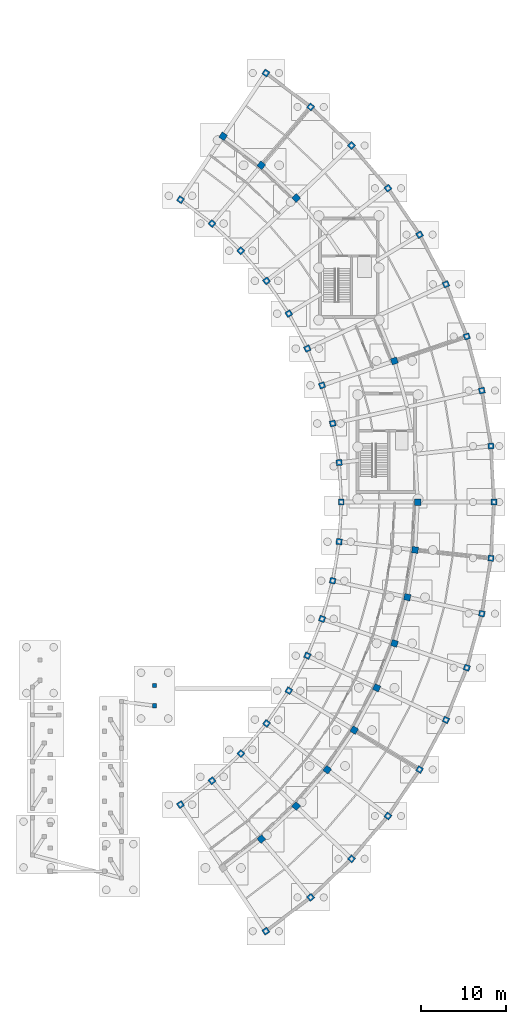
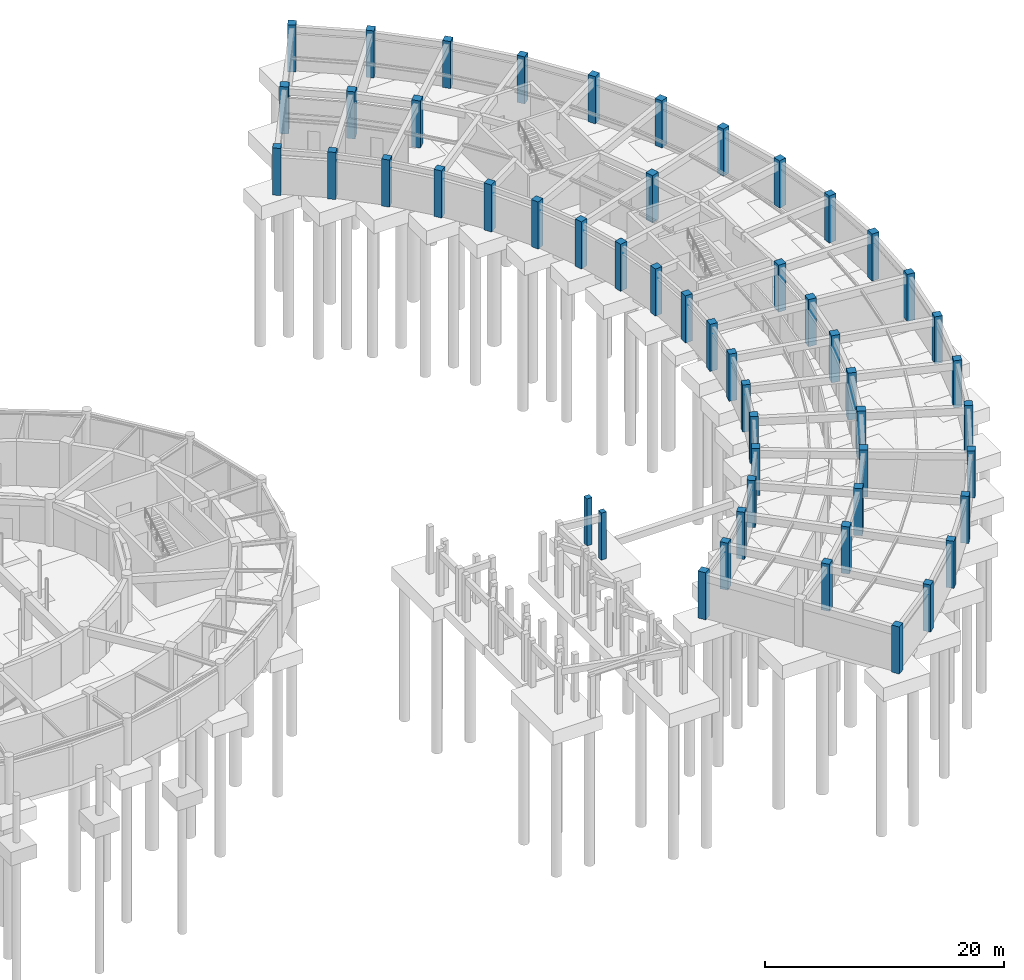
# One storey, part 11 of 42: 53 columns.
"""IFC4 building model written with IfcOpenShell, lengths in metres."""

from ifc_helpers import new_model, si_unit, direction, frame, origin, origin_2d, place, context, subcontext, project, spatial, rectangle, extrude, material, material_profile, profile_set, type_object, element, save


model = new_model("IFC4")

# Units and contexts
model_context = context("Model", 3, precision=1e-05, world=origin(), true_north=direction((0.0, 1.0)))
body_context = subcontext(model_context, "Body", "Model", "MODEL_VIEW")
ifc_project = project(units=[si_unit("LENGTHUNIT", "METRE"), si_unit("AREAUNIT", "SQUARE_METRE"), si_unit("VOLUMEUNIT", "CUBIC_METRE"), si_unit("PLANEANGLEUNIT", "RADIAN"), si_unit("MASSUNIT", "GRAM", prefix="KILO")], contexts=[model_context])

# Site, building, storey
site_placement = place(None, origin())
site = spatial("IfcSite", under=ifc_project, at=site_placement, CompositionType="ELEMENT")
building_placement = place(site_placement, origin())
building = spatial("IfcBuilding", under=site, at=building_placement, Name="Tarnveldt Headland Concert Hall", CompositionType="ELEMENT")
storey_placement = place(building_placement, frame((0.0, 0.0, -4.800048828125)))
storey = spatial("IfcBuildingStorey", under=building, at=storey_placement, Name="B1", CompositionType="ELEMENT", Elevation=-4.800048828125)

# Columns
ifc_material = material(Name="Concrete C40/50", Category="concrete")
ifc_material_profile_1 = material_profile(ifc_material, rectangle(XDim=0.5, YDim=0.5, at=origin_2d()), Name="RC 500x500", Category="concrete")
ifc_profile_set_1 = profile_set([ifc_material_profile_1], Name="Concrete C40/50")
column_type_1 = type_object("IfcColumnType", Name="CC-500", PredefinedType="COLUMN", material=ifc_profile_set_1)
for number, where, z_axis, x_axis, name in (
    (1, (138.5, 36.0, 0.0), (0.0, 0.0, 1.0), (1.0, 0.0, 0.0), "Column BRP03 B1"),
    (2, (138.5, 38.39990234375, 0.0), (0.0, 0.0, 1.0), (1.0, 0.0, 0.0), "Column BRP04 B1"),
):
    element("IfcColumn", number, at=place(storey_placement, frame(where, z_axis=z_axis, x_axis=x_axis)), inside=storey, type_object=column_type_1, Name=name, PredefinedType="COLUMN", context=body_context, shape_type="SweptSolid", body=[
        extrude(rectangle(XDim=0.5, YDim=0.5, at=origin_2d()), origin(), (0.0, 0.0, 1.0), 4.800048828125),
    ])
ifc_material_profile_2 = material_profile(ifc_material, rectangle(XDim=0.699951171875, YDim=0.699951171875, at=origin_2d()), Name="RC 700x700", Category="concrete")
ifc_profile_set_2 = profile_set([ifc_material_profile_2], Name="Concrete C40/50")
column_type_2 = type_object("IfcColumnType", Name="CC-700", PredefinedType="COLUMN", material=ifc_profile_set_2)
for number, where, z_axis, x_axis, name in (
    (3, (141.54541015625, 24.351318359375, 0.0), (0.0, 0.0, 1.0), (0.559192903471, -0.829037572555, 0.0), "Column V3C00IN B1"),
    (4, (151.61083984375, 9.4287109375, 0.0), (0.0, 0.0, 1.0), (0.559192903471, -0.829037572555, 0.0), "Column V3C00OUT B1"),
    (5, (145.267333984375, 27.16748046875, 0.0), (0.0, 0.0, 1.0), (0.645724263505, -0.763570674869, 0.0), "Column V3C01IN B1"),
    (6, (156.89111328125, 13.423583984375, 0.0), (0.0, 0.0, 1.0), (0.645724263505, -0.763570674869, 0.0), "Column V3C01OUT B1"),
    (7, (148.662353515625, 30.37060546875, 0.0), (0.0, 0.0, 1.0), (0.724653130187, -0.689113808387, 0.0), "Column V3C02IN B1"),
    (8, (161.70703125, 17.967529296875, 0.0), (0.0, 0.0, 1.0), (0.724653130187, -0.689113808387, 0.0), "Column V3C02OUT B1"),
    (9, (151.690185546875, 33.922607421875, 0.0), (0.0, 0.0, 1.0), (0.795156077043, -0.60640482612, 0.0), "Column V3C03IN B1"),
    (10, (166.00244140625, 23.006591796875, 0.0), (0.0, 0.0, 1.0), (0.795156077043, -0.60640482612, 0.0), "Column V3C03OUT B1"),
    (11, (154.315185546875, 37.781982421875, 0.0), (0.0, 0.0, 1.0), (0.856176919486, -0.516682767798, 0.0), "Column V3C04IN B1"),
    (12, (169.726318359375, 28.481201171875, 0.0), (0.0, 0.0, 1.0), (0.856176919486, -0.516682767798, 0.0), "Column V3C04OUT B1"),
    (13, (156.50634765625, 41.903076171875, 0.0), (0.0, 0.0, 1.0), (0.907117485088, -0.42087749791, 0.0), "Column V3C05IN B1"),
    (14, (172.834716796875, 34.327392578125, 0.0), (0.0, 0.0, 1.0), (0.907117485088, -0.42087749791, 0.0), "Column V3C05OUT B1"),
    (15, (158.238037109375, 46.2373046875, 0.0), (0.0, 0.0, 1.0), (0.947378020466, -0.320116988518, 0.0), "Column V3C06IN B1"),
    (16, (175.291259765625, 40.476318359375, 0.0), (0.0, 0.0, 1.0), (0.947378020466, -0.320116988518, 0.0), "Column V3C06OUT B1"),
    (17, (159.48974609375, 50.73388671875, 0.0), (0.0, 0.0, 1.0), (0.976522126798, -0.215417120661, 0.0), "Column V3C07IN B1"),
    (18, (177.06689453125, 46.85498046875, 0.0), (0.0, 0.0, 1.0), (0.976522126798, -0.215417120661, 0.0), "Column V3C07OUT B1"),
    (19, (160.24658203125, 55.33935546875, 0.0), (0.0, 0.0, 1.0), (0.994113204519, -0.108346373271, 0.0), "Column V3C08IN B1"),
    (20, (178.140625, 53.388427734375, 0.0), (0.0, 0.0, 1.0), (0.994113204519, -0.108346373271, 0.0), "Column V3C08OUT B1"),
    (21, (160.5, 60.0, 0.0), (0.0, 0.0, 1.0), (1.0, 0.0, 0.0), "Column V3C09IN B1"),
    (22, (178.5, 60.0, 0.0), (0.0, 0.0, 1.0), (1.0, 0.0, 0.0), "Column V3C09OUT B1"),
    (23, (160.24658203125, 64.66064453125, 0.0), (0.0, 0.0, 1.0), (0.994113204519, 0.108346373271, 0.0), "Column V3C10IN B1"),
    (24, (178.140625, 66.611572265625, 0.0), (0.0, 0.0, 1.0), (0.994113204519, 0.108346373271, 0.0), "Column V3C10OUT B1"),
    (25, (159.48974609375, 69.26611328125, 0.0), (0.0, 0.0, 1.0), (0.976522126798, 0.215417120661, 0.0), "Column V3C11IN B1"),
    (26, (177.06689453125, 73.14501953125, 0.0), (0.0, 0.0, 1.0), (0.976522126798, 0.215417120661, 0.0), "Column V3C11OUT B1"),
    (27, (158.238037109375, 73.7626953125, 0.0), (0.0, 0.0, 1.0), (0.947378020466, 0.320116988518, 0.0), "Column V3C12IN B1"),
    (28, (175.291259765625, 79.523681640625, 0.0), (0.0, 0.0, 1.0), (0.947378020466, 0.320116988518, 0.0), "Column V3C12OUT B1"),
    (29, (156.50634765625, 78.096923828125, 0.0), (0.0, 0.0, 1.0), (0.907117485088, 0.42087749791, 0.0), "Column V3C13IN B1"),
    (30, (172.834716796875, 85.672607421875, 0.0), (0.0, 0.0, 1.0), (0.907117485088, 0.42087749791, 0.0), "Column V3C13OUT B1"),
    (31, (154.315185546875, 82.218017578125, 0.0), (0.0, 0.0, 1.0), (0.856176919486, 0.516682767798, 0.0), "Column V3C14IN B1"),
    (32, (169.726318359375, 91.518798828125, 0.0), (0.0, 0.0, 1.0), (0.856176919486, 0.516682767798, 0.0), "Column V3C14OUT B1"),
    (33, (151.690185546875, 86.077392578125, 0.0), (0.0, 0.0, 1.0), (0.795156077043, 0.60640482612, 0.0), "Column V3C15IN B1"),
    (34, (166.00244140625, 96.993408203125, 0.0), (0.0, 0.0, 1.0), (0.795156077043, 0.60640482612, 0.0), "Column V3C15OUT B1"),
    (35, (148.662353515625, 89.62939453125, 0.0), (0.0, 0.0, 1.0), (0.724653130187, 0.689113808387, 0.0), "Column V3C16IN B1"),
    (36, (161.70703125, 102.032470703125, 0.0), (0.0, 0.0, 1.0), (0.724653130187, 0.689113808387, 0.0), "Column V3C16OUT B1"),
    (37, (145.267333984375, 92.83251953125, 0.0), (0.0, 0.0, 1.0), (0.645724263505, 0.763570674869, 0.0), "Column V3C17IN B1"),
    (38, (156.89111328125, 106.576416015625, 0.0), (0.0, 0.0, 1.0), (0.645724263505, 0.763570674869, 0.0), "Column V3C17OUT B1"),
    (39, (141.54541015625, 95.648681640625, 0.0), (0.0, 0.0, 1.0), (0.559192903471, 0.829037572555, 0.0), "Column V3C18IN B1"),
    (40, (151.61083984375, 110.5712890625, 0.0), (0.0, 0.0, 1.0), (0.559192903471, 0.829037572555, 0.0), "Column V3C18OUT B1"),
):
    element("IfcColumn", number, at=place(storey_placement, frame(where, z_axis=z_axis, x_axis=x_axis)), inside=storey, type_object=column_type_2, Name=name, PredefinedType="COLUMN", context=body_context, shape_type="SweptSolid", body=[
        extrude(rectangle(XDim=0.699951171875, YDim=0.699951171875, at=origin_2d()), origin(), (0.0, 0.0, 1.0), 4.800048828125),
    ])
ifc_material_profile_3 = material_profile(ifc_material, rectangle(XDim=0.75, YDim=0.75, at=origin_2d()), Name="RC 750x750", Category="concrete")
ifc_profile_set_3 = profile_set([ifc_material_profile_3], Name="Concrete C40/50")
column_type_3 = type_object("IfcColumnType", Name="CC-750", PredefinedType="COLUMN", material=ifc_profile_set_3)
for number, where, z_axis, x_axis, name in (
    (41, (151.0791015625, 20.295654296875, 0.0), (0.0, 0.0, 1.0), (0.645724263505, -0.763570674869, 0.0), "Column V3C01MD B1"),
    (42, (155.184814453125, 24.1689453125, 0.0), (0.0, 0.0, 1.0), (0.724653130187, -0.689113808387, 0.0), "Column V3C02MD B1"),
    (43, (158.84619140625, 28.464599609375, 0.0), (0.0, 0.0, 1.0), (0.795156077043, -0.60640482612, 0.0), "Column V3C03MD B1"),
    (44, (162.020751953125, 33.131591796875, 0.0), (0.0, 0.0, 1.0), (0.856176919486, -0.516682767798, 0.0), "Column V3C04MD B1"),
    (45, (164.67041015625, 38.115234375, 0.0), (0.0, 0.0, 1.0), (0.907117485088, -0.42087749791, 0.0), "Column V3C05MD B1"),
    (46, (166.7646484375, 43.356689453125, 0.0), (0.0, 0.0, 1.0), (0.947378020466, -0.320116988518, 0.0), "Column V3C06MD B1"),
    (47, (168.2783203125, 48.79443359375, 0.0), (0.0, 0.0, 1.0), (0.976522126798, -0.215417120661, 0.0), "Column V3C07MD B1"),
    (48, (169.193603515625, 54.364013671875, 0.0), (0.0, 0.0, 1.0), (0.994113204519, -0.108346373271, 0.0), "Column V3C08MD B1"),
    (49, (169.5, 60.0, 0.0), (0.0, 0.0, 1.0), (1.0, 0.0, 0.0), "Column V3C09MD B1"),
    (50, (166.7646484375, 76.643310546875, 0.0), (0.0, 0.0, 1.0), (0.947378020466, 0.320116988518, 0.0), "Column V3C12MD B1"),
    (51, (155.184814453125, 95.8310546875, 0.0), (0.0, 0.0, 1.0), (0.724653130187, 0.689113808387, 0.0), "Column V3C16MD B1"),
    (52, (151.0791015625, 99.704345703125, 0.0), (0.0, 0.0, 1.0), (0.645724263505, 0.763570674869, 0.0), "Column V3C17MD B1"),
    (53, (146.577880859375, 103.110107421875, 0.0), (0.0, 0.0, 1.0), (0.559192903471, 0.829037572555, 0.0), "Column V3C18MD B1"),
):
    element("IfcColumn", number, at=place(storey_placement, frame(where, z_axis=z_axis, x_axis=x_axis)), inside=storey, type_object=column_type_3, Name=name, PredefinedType="COLUMN", context=body_context, shape_type="SweptSolid", body=[
        extrude(rectangle(XDim=0.75, YDim=0.75, at=origin_2d()), origin(), (0.0, 0.0, 1.0), 4.800048828125),
    ])

save(model, "model.ifc")
